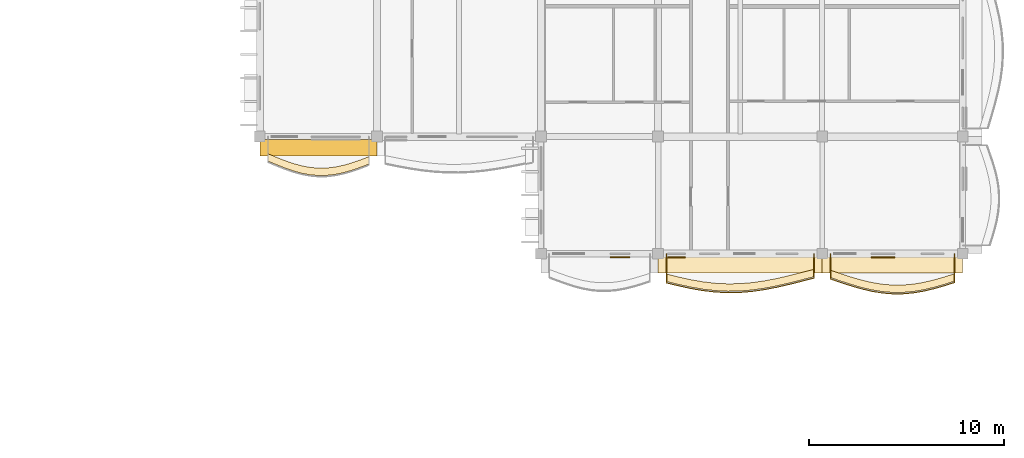
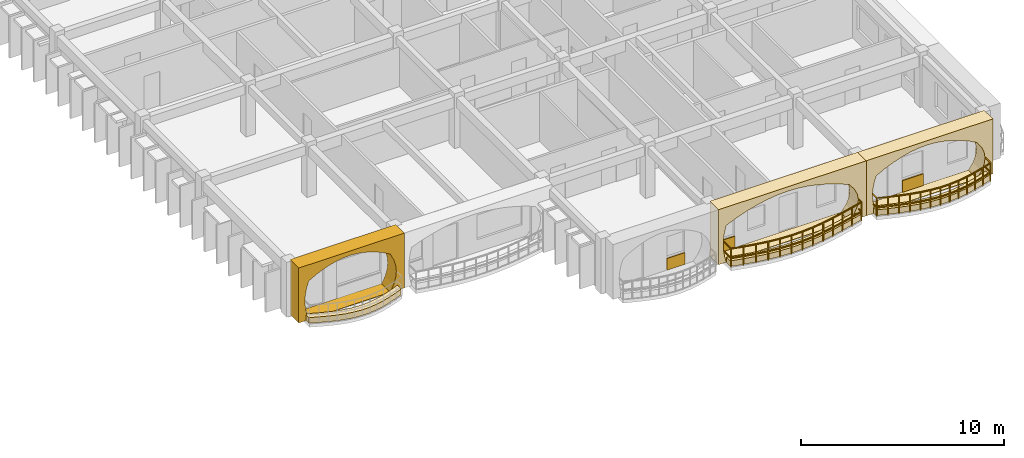
# One storey, part 60 of 70: 9 coverings, 2 railings.
"""IFC4 building model written with IfcOpenShell, lengths in metres."""

from ifc_helpers import new_model, si_unit, direction, frame, origin, origin_2d, place, context, subcontext, project, spatial, polyline, rectangle, outline, extrude, material, layer, layer_set, type_object, element, save


model = new_model("IFC4")

# Units and contexts
model_context = context("Model", 3, precision=1e-05, world=origin(), true_north=direction((0.0, 1.0)))
body_context = subcontext(model_context, "Body", "Model", "MODEL_VIEW")
ifc_project = project(units=[si_unit("LENGTHUNIT", "METRE"), si_unit("AREAUNIT", "SQUARE_METRE"), si_unit("VOLUMEUNIT", "CUBIC_METRE"), si_unit("PLANEANGLEUNIT", "RADIAN"), si_unit("MASSUNIT", "GRAM", prefix="KILO"), si_unit("THERMODYNAMICTEMPERATUREUNIT", "KELVIN")], contexts=[model_context])

# Site, building, storey
site_placement = place(None, origin())
site = spatial("IfcSite", under=ifc_project, at=site_placement, CompositionType="ELEMENT")
building_placement = place(site_placement, origin())
building = spatial("IfcBuilding", under=site, at=building_placement, Name="Thalorik Housing Commons", CompositionType="ELEMENT")
storey_placement = place(building_placement, frame((0.0, 0.0, 14.699951171875)))
storey = spatial("IfcBuildingStorey", under=building, at=storey_placement, Name="L04", CompositionType="ELEMENT", Elevation=14.699951171875)

# Coverings
ifc_material_1 = material(Name="Cobalt blue glazed ceramic facade tile panel", Category="masonry")
ifc_layer_1 = layer(ifc_material_1, 0.06005859375, Name="Cobalt blue glazed ceramic facade tile panel", Category="masonry")
ifc_layer_set_1 = layer_set([ifc_layer_1], Name="Cobalt blue glazed ceramic facade tile panel")
covering_type_1 = type_object("IfcCoveringType", Name="ARC-CLD-BLU-60", PredefinedType="CLADDING", material=ifc_layer_set_1)
covering_1_placement = place(storey_placement, frame((159.3349609375, 37.027587890625, 0.05029296875), z_axis=(0.0, 0.0, 1.0), x_axis=(1.0, 0.0, 0.0)))
element("IfcCovering", 1, at=covering_1_placement, inside=storey, type_object=covering_type_1, Name="L04 De Stijl Recessed Window Spandrel 4822", PredefinedType="CLADDING", context=body_context, shape_type="SweptSolid", body=[
    extrude(rectangle(XDim=0.89990234375, YDim=0.06005859375, at=origin_2d()), origin(), (0.0, 0.0, 1.0), 0.699951171875),
])
ifc_material_2 = material(Name="Precast concrete C40/50", Category="concrete")
ifc_layer_2 = layer(ifc_material_2, 0.85009765625, Name="Precast concrete C40/50", Category="concrete")
ifc_layer_set_2 = layer_set([ifc_layer_2], Name="Precast concrete C40/50")
covering_type_2 = type_object("IfcCoveringType", Name="ARC-CLD-CUSH-850", PredefinedType="CLADDING", material=ifc_layer_set_2)
covering_2_placement = place(storey_placement, frame((141.0, 42.637451171875, 0.0), z_axis=(0.0, 0.0, 1.0), x_axis=(1.0, 0.0, 0.0)))
element("IfcCovering", 2, at=covering_2_placement, inside=storey, type_object=covering_type_2, Name="L04 White Precast Curved Cushion Bay Frame 4808", PredefinedType="CLADDING", context=body_context, shape_type="SweptSolid", body=[
    extrude(outline(polyline([(-3.0, 0.0), (3.0, 0.0), (3.0, 3.300048828125), (-3.0, 3.300048828125), (-3.0, 0.0)]), holes=[polyline([(2.199951171875, 0.02490234375), (2.394287109375, 0.407470703125), (2.510986328125, 0.7900390625), (2.550048828125, 1.172607421875), (2.510986328125, 1.554931640625), (2.394287109375, 1.9375), (2.199951171875, 2.320068359375), (1.814208984375, 2.539306640625), (1.42822265625, 2.711181640625), (1.04248046875, 2.8505859375), (0.65673828125, 2.954345703125), (0.270751953125, 3.018310546875), (-0.114990234375, 3.0400390625), (-0.500732421875, 3.018310546875), (-0.88671875, 2.954345703125), (-1.2724609375, 2.8505859375), (-1.658203125, 2.711181640625), (-2.044189453125, 2.539306640625), (-2.429931640625, 2.320068359375), (-2.55029296875, 1.9375), (-2.62255859375, 1.554931640625), (-2.646484375, 1.172607421875), (-2.62255859375, 0.7900390625), (-2.55029296875, 0.407470703125), (-2.429931640625, 0.02490234375), (2.199951171875, 0.02490234375)])]), frame((0.0, 0.425048828125, 0.0), z_axis=(0.0, -1.0, 0.0), x_axis=(1.0, 0.0, 0.0)), (0.0, 0.0, 1.0), 0.85009765625),
])
covering_3_placement = place(storey_placement, frame((162.60009765625, 36.637451171875, 0.0), z_axis=(0.0, 0.0, 1.0), x_axis=(1.0, 0.0, 0.0)))
element("IfcCovering", 3, at=covering_3_placement, inside=storey, type_object=covering_type_2, Name="L04 White Precast Curved Cushion Bay Frame 4821", PredefinedType="CLADDING", context=body_context, shape_type="SweptSolid", body=[
    extrude(outline(polyline([(-4.199951171875, 0.0), (4.199951171875, 0.0), (4.199951171875, 3.300048828125), (-4.199951171875, 3.300048828125), (-4.199951171875, 0.0)]), holes=[polyline([(3.239990234375, 0.02490234375), (3.523193359375, 0.387451171875), (3.693359375, 0.75), (3.75, 1.112548828125), (3.693359375, 1.47509765625), (3.523193359375, 1.83740234375), (3.239990234375, 2.199951171875), (2.65625, 2.455810546875), (2.072509765625, 2.656494140625), (1.48876953125, 2.819091796875), (0.905029296875, 2.940185546875), (0.3212890625, 3.014892578125), (-0.262451171875, 3.0400390625), (-0.84619140625, 3.014892578125), (-1.429931640625, 2.940185546875), (-2.013671875, 2.819091796875), (-2.597412109375, 2.656494140625), (-3.181396484375, 2.455810546875), (-3.764892578125, 2.199951171875), (-3.856689453125, 1.83740234375), (-3.911865234375, 1.47509765625), (-3.930419921875, 1.112548828125), (-3.911865234375, 0.75), (-3.856689453125, 0.387451171875), (-3.764892578125, 0.02490234375), (3.239990234375, 0.02490234375)])]), frame((0.0, 0.425048828125, 0.0), z_axis=(0.0, -1.0, 0.0), x_axis=(1.0, 0.0, 0.0)), (0.0, 0.0, 1.0), 0.85009765625),
])
covering_4_placement = place(storey_placement, frame((170.39990234375, 36.637451171875, 0.0), z_axis=(0.0, 0.0, 1.0), x_axis=(1.0, 0.0, 0.0)))
element("IfcCovering", 4, at=covering_4_placement, inside=storey, type_object=covering_type_2, Name="L04 White Precast Curved Cushion Bay Frame 4823", PredefinedType="CLADDING", context=body_context, shape_type="SweptSolid", body=[
    extrude(outline(polyline([(-3.60009765625, 0.0), (3.60009765625, 0.0), (3.60009765625, 3.300048828125), (-3.60009765625, 3.300048828125), (-3.60009765625, 0.0)]), holes=[polyline([(2.68994140625, 0.02490234375), (2.945556640625, 0.387451171875), (3.098876953125, 0.75), (3.14990234375, 1.112548828125), (3.098876953125, 1.47509765625), (2.945556640625, 1.83740234375), (2.68994140625, 2.199951171875), (2.21337890625, 2.455810546875), (1.73681640625, 2.656494140625), (1.260009765625, 2.819091796875), (0.783203125, 2.940185546875), (0.306640625, 3.014892578125), (-0.169921875, 3.0400390625), (-0.646728515625, 3.014892578125), (-1.123291015625, 2.940185546875), (-1.60009765625, 2.819091796875), (-2.07666015625, 2.656494140625), (-2.55322265625, 2.455810546875), (-3.030029296875, 2.199951171875), (-3.150390625, 1.83740234375), (-3.222412109375, 1.47509765625), (-3.24658203125, 1.112548828125), (-3.222412109375, 0.75), (-3.150390625, 0.387451171875), (-3.030029296875, 0.02490234375), (2.68994140625, 0.02490234375)])]), frame((0.0, 0.425048828125, 0.0), z_axis=(0.0, -1.0, 0.0), x_axis=(1.0, 0.0, 0.0)), (0.0, 0.0, 1.0), 0.85009765625),
])
ifc_material_3 = material(Name="Terracotta red mineral fibre-cement panel", Category="masonry")
ifc_layer_3 = layer(ifc_material_3, 0.054931640625, Name="Terracotta red mineral fibre-cement panel", Category="masonry")
ifc_layer_set_3 = layer_set([ifc_layer_3], Name="Terracotta red mineral fibre-cement panel")
covering_type_3 = type_object("IfcCoveringType", Name="ARC-CLD-RED-55", PredefinedType="CLADDING", material=ifc_layer_set_3)
covering_5_placement = place(storey_placement, frame((156.43994140625, 37.030029296875, 0.05029296875), z_axis=(0.0, 0.0, 1.0), x_axis=(1.0, 0.0, 0.0)))
element("IfcCovering", 5, at=covering_5_placement, inside=storey, type_object=covering_type_3, Name="L04 De Stijl Recessed Window Spandrel 4820", PredefinedType="CLADDING", context=body_context, shape_type="SweptSolid", body=[
    extrude(rectangle(XDim=1.0, YDim=0.054931640625, at=origin_2d()), origin(), (0.0, 0.0, 1.0), 0.699951171875),
])
ifc_material_4 = material(Name="Mineral ochre architectural terracotta panel", Category="masonry")
ifc_layer_4 = layer(ifc_material_4, 0.06494140625, Name="Mineral ochre architectural terracotta panel", Category="masonry")
ifc_layer_set_4 = layer_set([ifc_layer_4], Name="Mineral ochre architectural terracotta panel")
covering_type_4 = type_object("IfcCoveringType", Name="ARC-CLD-YEL-65", PredefinedType="CLADDING", material=ifc_layer_set_4)
covering_6_placement = place(storey_placement, frame((169.9150390625, 37.02490234375, 0.05029296875), z_axis=(0.0, 0.0, 1.0), x_axis=(1.0, 0.0, 0.0)))
element("IfcCovering", 6, at=covering_6_placement, inside=storey, type_object=covering_type_4, Name="L04 De Stijl Recessed Window Spandrel 4824", PredefinedType="CLADDING", context=body_context, shape_type="SweptSolid", body=[
    extrude(rectangle(XDim=1.199951171875, YDim=0.06494140625, at=origin_2d()), origin(), (0.0, 0.0, 1.0), 0.699951171875),
])
ifc_material_5 = material(Name="Planted vegetated substrate and terracotta trough", Category="masonry")
ifc_layer_5 = layer(ifc_material_5, 0.340087890625, Name="Planted vegetated substrate and terracotta trough", Category="masonry")
ifc_layer_set_5 = layer_set([ifc_layer_5], Name="Planted vegetated substrate and terracotta trough")
covering_type_5 = type_object("IfcCoveringType", Name="ARC-COV-PLANTER", PredefinedType="USERDEFINED", material=ifc_layer_set_5)
covering_7_placement = place(storey_placement, origin())
element("IfcCovering", 7, at=covering_7_placement, inside=storey, type_object=covering_type_5, Name="L04 Balcony Slab-Edge Planted Trough 5671", ObjectType="PLANTER", PredefinedType="USERDEFINED", context=body_context, shape_type="SweptSolid", body=[
    extrude(outline(polyline([(158.820068359375, 35.782470703125), (159.449951171875, 35.6259765625), (160.080078125, 35.489013671875), (160.7099609375, 35.380859375), (161.340087890625, 35.308837890625), (161.969970703125, 35.277587890625), (162.60009765625, 35.2890625), (163.22998046875, 35.34228515625), (163.860107421875, 35.43310546875), (164.489990234375, 35.5556640625), (165.1201171875, 35.700927734375), (165.75, 35.859375), (166.3798828125, 36.01953125), (166.3798828125, 36.399658203125), (165.75, 36.2392578125), (165.1201171875, 36.0810546875), (164.489990234375, 35.935546875), (163.860107421875, 35.813232421875), (163.22998046875, 35.72216796875), (162.60009765625, 35.6689453125), (161.969970703125, 35.65771484375), (161.340087890625, 35.688720703125), (160.7099609375, 35.760986328125), (160.080078125, 35.868896484375), (159.449951171875, 36.005859375), (158.820068359375, 36.162353515625), (158.820068359375, 35.782470703125)])), origin(), (0.0, 0.0, 1.0), 0.340087890625),
])
covering_8_placement = place(storey_placement, origin())
element("IfcCovering", 8, at=covering_8_placement, inside=storey, type_object=covering_type_5, Name="L04 Balcony Slab-Edge Planted Trough 5672", ObjectType="PLANTER", PredefinedType="USERDEFINED", context=body_context, shape_type="SweptSolid", body=[
    extrude(outline(polyline([(167.219970703125, 35.980712890625), (167.75, 35.7998046875), (168.280029296875, 35.626708984375), (168.81005859375, 35.472900390625), (169.340087890625, 35.348388671875), (169.8701171875, 35.260986328125), (170.39990234375, 35.216552734375), (170.929931640625, 35.2177734375), (171.4599609375, 35.263916015625), (171.989990234375, 35.352294921875), (172.52001953125, 35.47607421875), (173.050048828125, 35.626953125), (173.580078125, 35.794921875), (173.580078125, 36.175048828125), (173.050048828125, 36.007080078125), (172.52001953125, 35.85595703125), (171.989990234375, 35.732177734375), (171.4599609375, 35.64404296875), (170.929931640625, 35.59765625), (170.39990234375, 35.5966796875), (169.8701171875, 35.64111328125), (169.340087890625, 35.728271484375), (168.81005859375, 35.852783203125), (168.280029296875, 36.0068359375), (167.75, 36.1796875), (167.219970703125, 36.360595703125), (167.219970703125, 35.980712890625)])), origin(), (0.0, 0.0, 1.0), 0.340087890625),
])
covering_9_placement = place(storey_placement, origin())
element("IfcCovering", 9, at=covering_9_placement, inside=storey, type_object=covering_type_5, Name="L04 Balcony Slab-Edge Planted Trough 5673", ObjectType="PLANTER", PredefinedType="USERDEFINED", context=body_context, shape_type="SweptSolid", body=[
    extrude(outline(polyline([(138.419921875, 41.940673828125), (138.85009765625, 41.7607421875), (139.280029296875, 41.5908203125), (139.7099609375, 41.44189453125), (140.139892578125, 41.323486328125), (140.570068359375, 41.242919921875), (141.0, 41.204833984375), (141.429931640625, 41.21142578125), (141.860107421875, 41.261962890625), (142.2900390625, 41.352294921875), (142.719970703125, 41.47607421875), (143.14990234375, 41.625), (143.580078125, 41.788818359375), (143.580078125, 42.168701171875), (143.14990234375, 42.0048828125), (142.719970703125, 41.856201171875), (142.2900390625, 41.732177734375), (141.860107421875, 41.641845703125), (141.429931640625, 41.591552734375), (141.0, 41.5849609375), (140.570068359375, 41.622802734375), (140.139892578125, 41.70361328125), (139.7099609375, 41.822021484375), (139.280029296875, 41.970703125), (138.85009765625, 42.140625), (138.419921875, 42.32080078125), (138.419921875, 41.940673828125)])), origin(), (0.0, 0.0, 1.0), 0.340087890625),
])

# Railings
ifc_material_6 = material(Name="Steel S355", Category="steel")
railing_type_1 = type_object("IfcRailingType", Name="ARC-RL-BAL-112", PredefinedType="BALUSTRADE", material=ifc_material_6)
railing_1_placement = place(storey_placement, frame((167.219970703125, 37.199951171875, 0.0)))
element("IfcRailing", 10, at=railing_1_placement, inside=storey, type_object=railing_type_1, Name="L04 Cushion Balcony Guardrail 356", PredefinedType="BALUSTRADE", context=body_context, shape_type="SweptSolid", body=[
    extrude(rectangle(XDim=0.050048828125, YDim=0.050048828125, at=origin_2d()), frame((0.0, 0.0, 1.09521484375), z_axis=(0.0, -1.0, 0.0), x_axis=(1.0, 0.0, 0.0)), (0.0, 0.0, 1.0), 1.289306640625),
    extrude(rectangle(XDim=0.050048828125, YDim=0.050048828125, at=origin_2d()), frame((0.0, 0.0, 0.53515625), z_axis=(0.0, -1.0, 0.0), x_axis=(1.0, 0.0, 0.0)), (0.0, 0.0, 1.0), 1.289306640625),
    extrude(rectangle(XDim=0.050048828125, YDim=0.050048828125, at=origin_2d()), frame((0.0, -1.289306640625, 1.09521484375), z_axis=(0.946392116625, -0.323020063758, 0.0), x_axis=(0.323020063758, 0.946392116625, 0.0)), (0.0, 0.0, 1.0), 0.56005859375),
    extrude(rectangle(XDim=0.050048828125, YDim=0.050048828125, at=origin_2d()), frame((0.0, -1.289306640625, 0.53515625), z_axis=(0.946392116625, -0.323020063758, 0.0), x_axis=(0.323020063758, 0.946392116625, 0.0)), (0.0, 0.0, 1.0), 0.56005859375),
    extrude(rectangle(XDim=0.050048828125, YDim=0.050048828125, at=origin_2d()), frame((0.530029296875, -1.47021484375, 1.09521484375), z_axis=(0.950721421216, -0.310046414657, 0.0), x_axis=(0.310046414657, 0.950721421216, 0.0)), (0.0, 0.0, 1.0), 0.5576171875),
    extrude(rectangle(XDim=0.050048828125, YDim=0.050048828125, at=origin_2d()), frame((0.530029296875, -1.47021484375, 0.53515625), z_axis=(0.950721421216, -0.310046414657, 0.0), x_axis=(0.310046414657, 0.950721421216, 0.0)), (0.0, 0.0, 1.0), 0.5576171875),
    extrude(rectangle(XDim=0.050048828125, YDim=0.050048828125, at=origin_2d()), frame((1.06005859375, -1.64306640625, 1.09521484375), z_axis=(0.960262135105, -0.279099680908, 0.0), x_axis=(0.279099680908, 0.960262135105, 0.0)), (0.0, 0.0, 1.0), 0.552001953125),
    extrude(rectangle(XDim=0.050048828125, YDim=0.050048828125, at=origin_2d()), frame((1.06005859375, -1.64306640625, 0.53515625), z_axis=(0.960262135105, -0.279099680908, 0.0), x_axis=(0.279099680908, 0.960262135105, 0.0)), (0.0, 0.0, 1.0), 0.552001953125),
    extrude(rectangle(XDim=0.050048828125, YDim=0.050048828125, at=origin_2d()), frame((1.590087890625, -1.797119140625, 1.09521484375), z_axis=(0.973499436573, -0.228689411632, 0.0), x_axis=(0.228689411632, 0.973499436573, 0.0)), (0.0, 0.0, 1.0), 0.54443359375),
    extrude(rectangle(XDim=0.050048828125, YDim=0.050048828125, at=origin_2d()), frame((1.590087890625, -1.797119140625, 0.53515625), z_axis=(0.973499436573, -0.228689411632, 0.0), x_axis=(0.228689411632, 0.973499436573, 0.0)), (0.0, 0.0, 1.0), 0.54443359375),
    extrude(rectangle(XDim=0.050048828125, YDim=0.050048828125, at=origin_2d()), frame((2.1201171875, -1.921630859375, 1.09521484375), z_axis=(0.986674981637, -0.162703658879, 0.0), x_axis=(0.162703658879, 0.986674981637, 0.0)), (0.0, 0.0, 1.0), 0.537109375),
    extrude(rectangle(XDim=0.050048828125, YDim=0.050048828125, at=origin_2d()), frame((2.1201171875, -1.921630859375, 0.53515625), z_axis=(0.986674981637, -0.162703658879, 0.0), x_axis=(0.162703658879, 0.986674981637, 0.0)), (0.0, 0.0, 1.0), 0.537109375),
    extrude(rectangle(XDim=0.050048828125, YDim=0.050048828125, at=origin_2d()), frame((2.650146484375, -2.009033203125, 1.09521484375), z_axis=(0.996501278001, -0.083577526542, 0.0), x_axis=(0.083577526542, 0.996501278001, 0.0)), (0.0, 0.0, 1.0), 0.53173828125),
    extrude(rectangle(XDim=0.050048828125, YDim=0.050048828125, at=origin_2d()), frame((2.650146484375, -2.009033203125, 0.53515625), z_axis=(0.996501278001, -0.083577526542, 0.0), x_axis=(0.083577526542, 0.996501278001, 0.0)), (0.0, 0.0, 1.0), 0.53173828125),
    extrude(rectangle(XDim=0.050048828125, YDim=0.050048828125, at=origin_2d()), frame((3.179931640625, -2.053466796875, 1.09521484375), z_axis=(0.999997347908, 0.002303080027, 0.0), x_axis=(-0.002303080027, 0.999997347908, 0.0)), (0.0, 0.0, 1.0), 0.530029296875),
    extrude(rectangle(XDim=0.050048828125, YDim=0.050048828125, at=origin_2d()), frame((3.179931640625, -2.053466796875, 0.53515625), z_axis=(0.999997347908, 0.002303080027, 0.0), x_axis=(-0.002303080027, 0.999997347908, 0.0)), (0.0, 0.0, 1.0), 0.530029296875),
    extrude(rectangle(XDim=0.050048828125, YDim=0.050048828125, at=origin_2d()), frame((3.7099609375, -2.05224609375, 1.09521484375), z_axis=(0.996192223145, 0.087184026899, 0.0), x_axis=(-0.087184026899, 0.996192223145, 0.0)), (0.0, 0.0, 1.0), 0.531982421875),
    extrude(rectangle(XDim=0.050048828125, YDim=0.050048828125, at=origin_2d()), frame((3.7099609375, -2.05224609375, 0.53515625), z_axis=(0.996192223145, 0.087184026899, 0.0), x_axis=(-0.087184026899, 0.996192223145, 0.0)), (0.0, 0.0, 1.0), 0.531982421875),
    extrude(rectangle(XDim=0.050048828125, YDim=0.050048828125, at=origin_2d()), frame((4.239990234375, -2.005859375, 1.09521484375), z_axis=(0.986455257502, 0.164030561013, 0.0), x_axis=(-0.164030561013, 0.986455257502, 0.0)), (0.0, 0.0, 1.0), 0.537353515625),
    extrude(rectangle(XDim=0.050048828125, YDim=0.050048828125, at=origin_2d()), frame((4.239990234375, -2.005859375, 0.53515625), z_axis=(0.986455257502, 0.164030561013, 0.0), x_axis=(-0.164030561013, 0.986455257502, 0.0)), (0.0, 0.0, 1.0), 0.537353515625),
    extrude(rectangle(XDim=0.050048828125, YDim=0.050048828125, at=origin_2d()), frame((4.77001953125, -1.917724609375, 1.09521484375), z_axis=(0.973798180823, 0.22741394642, 0.0), x_axis=(-0.22741394642, 0.973798180823, 0.0)), (0.0, 0.0, 1.0), 0.544189453125),
    extrude(rectangle(XDim=0.050048828125, YDim=0.050048828125, at=origin_2d()), frame((4.77001953125, -1.917724609375, 0.53515625), z_axis=(0.973798180823, 0.22741394642, 0.0), x_axis=(-0.22741394642, 0.973798180823, 0.0)), (0.0, 0.0, 1.0), 0.544189453125),
    extrude(rectangle(XDim=0.050048828125, YDim=0.050048828125, at=origin_2d()), frame((5.300048828125, -1.7939453125, 1.09521484375), z_axis=(0.96179097414, 0.273784809774, 0.0), x_axis=(-0.273784809774, 0.96179097414, 0.0)), (0.0, 0.0, 1.0), 0.551025390625),
    extrude(rectangle(XDim=0.050048828125, YDim=0.050048828125, at=origin_2d()), frame((5.300048828125, -1.7939453125, 0.53515625), z_axis=(0.96179097414, 0.273784809774, 0.0), x_axis=(-0.273784809774, 0.96179097414, 0.0)), (0.0, 0.0, 1.0), 0.551025390625),
    extrude(rectangle(XDim=0.050048828125, YDim=0.050048828125, at=origin_2d()), frame((5.830078125, -1.64306640625, 1.09521484375), z_axis=(0.953150390794, 0.302496830611, 0.0), x_axis=(-0.302496830611, 0.953150390794, 0.0)), (0.0, 0.0, 1.0), 0.55615234375),
    extrude(rectangle(XDim=0.050048828125, YDim=0.050048828125, at=origin_2d()), frame((5.830078125, -1.64306640625, 0.53515625), z_axis=(0.953150390794, 0.302496830611, 0.0), x_axis=(-0.302496830611, 0.953150390794, 0.0)), (0.0, 0.0, 1.0), 0.55615234375),
    extrude(rectangle(XDim=0.050048828125, YDim=0.050048828125, at=origin_2d()), frame((6.360107421875, -1.474853515625, 1.09521484375), z_axis=(0.0, 1.0, 0.0), x_axis=(-1.0, 0.0, 0.0)), (0.0, 0.0, 1.0), 1.474853515625),
    extrude(rectangle(XDim=0.050048828125, YDim=0.050048828125, at=origin_2d()), frame((6.360107421875, -1.474853515625, 0.53515625), z_axis=(0.0, 1.0, 0.0), x_axis=(-1.0, 0.0, 0.0)), (0.0, 0.0, 1.0), 1.474853515625),
    extrude(rectangle(XDim=0.0419921875, YDim=0.0419921875, at=origin_2d()), origin(), (0.0, 0.0, 1.0), 1.070068359375),
    extrude(rectangle(XDim=0.0419921875, YDim=0.0419921875, at=origin_2d()), frame((0.0, -1.289306640625, 0.0)), (0.0, 0.0, 1.0), 1.070068359375),
    extrude(rectangle(XDim=0.0419921875, YDim=0.0419921875, at=origin_2d()), frame((0.530029296875, -1.47021484375, 0.0)), (0.0, 0.0, 1.0), 1.070068359375),
    extrude(rectangle(XDim=0.0419921875, YDim=0.0419921875, at=origin_2d()), frame((1.06005859375, -1.64306640625, 0.0)), (0.0, 0.0, 1.0), 1.070068359375),
    extrude(rectangle(XDim=0.0419921875, YDim=0.0419921875, at=origin_2d()), frame((1.590087890625, -1.797119140625, 0.0)), (0.0, 0.0, 1.0), 1.070068359375),
    extrude(rectangle(XDim=0.0419921875, YDim=0.0419921875, at=origin_2d()), frame((2.1201171875, -1.921630859375, 0.0)), (0.0, 0.0, 1.0), 1.070068359375),
    extrude(rectangle(XDim=0.0419921875, YDim=0.0419921875, at=origin_2d()), frame((2.650146484375, -2.009033203125, 0.0)), (0.0, 0.0, 1.0), 1.070068359375),
    extrude(rectangle(XDim=0.0419921875, YDim=0.0419921875, at=origin_2d()), frame((3.179931640625, -2.053466796875, 0.0)), (0.0, 0.0, 1.0), 1.070068359375),
    extrude(rectangle(XDim=0.0419921875, YDim=0.0419921875, at=origin_2d()), frame((3.7099609375, -2.05224609375, 0.0)), (0.0, 0.0, 1.0), 1.070068359375),
    extrude(rectangle(XDim=0.0419921875, YDim=0.0419921875, at=origin_2d()), frame((4.239990234375, -2.005859375, 0.0)), (0.0, 0.0, 1.0), 1.070068359375),
    extrude(rectangle(XDim=0.0419921875, YDim=0.0419921875, at=origin_2d()), frame((4.77001953125, -1.917724609375, 0.0)), (0.0, 0.0, 1.0), 1.070068359375),
    extrude(rectangle(XDim=0.0419921875, YDim=0.0419921875, at=origin_2d()), frame((5.300048828125, -1.7939453125, 0.0)), (0.0, 0.0, 1.0), 1.070068359375),
    extrude(rectangle(XDim=0.0419921875, YDim=0.0419921875, at=origin_2d()), frame((5.830078125, -1.64306640625, 0.0)), (0.0, 0.0, 1.0), 1.070068359375),
    extrude(rectangle(XDim=0.0419921875, YDim=0.0419921875, at=origin_2d()), frame((6.360107421875, -1.474853515625, 0.0)), (0.0, 0.0, 1.0), 1.070068359375),
    extrude(rectangle(XDim=0.0419921875, YDim=0.0419921875, at=origin_2d()), frame((6.360107421875, 0.0, 0.0)), (0.0, 0.0, 1.0), 1.070068359375),
])
railing_type_2 = type_object("IfcRailingType", Name="ARC-RL-BAL-115", PredefinedType="BALUSTRADE", material=ifc_material_6)
railing_2_placement = place(storey_placement, frame((158.820068359375, 37.199951171875, 0.0)))
element("IfcRailing", 11, at=railing_2_placement, inside=storey, type_object=railing_type_2, Name="L04 Cushion Balcony Guardrail 355", PredefinedType="BALUSTRADE", context=body_context, shape_type="SweptSolid", body=[
    extrude(rectangle(XDim=0.050048828125, YDim=0.050048828125, at=origin_2d()), frame((0.0, 0.0, 1.125), z_axis=(0.0, -1.0, 0.0), x_axis=(1.0, 0.0, 0.0)), (0.0, 0.0, 1.0), 1.487548828125),
    extrude(rectangle(XDim=0.050048828125, YDim=0.050048828125, at=origin_2d()), frame((0.0, 0.0, 0.5498046875), z_axis=(0.0, -1.0, 0.0), x_axis=(1.0, 0.0, 0.0)), (0.0, 0.0, 1.0), 1.487548828125),
    extrude(rectangle(XDim=0.050048828125, YDim=0.050048828125, at=origin_2d()), frame((0.0, -1.487548828125, 1.125), z_axis=(0.970495500491, -0.241119230936, 0.0), x_axis=(0.241119230936, 0.970495500491, 0.0)), (0.0, 0.0, 1.0), 0.64892578125),
    extrude(rectangle(XDim=0.050048828125, YDim=0.050048828125, at=origin_2d()), frame((0.0, -1.487548828125, 0.5498046875), z_axis=(0.970495500491, -0.241119230936, 0.0), x_axis=(0.241119230936, 0.970495500491, 0.0)), (0.0, 0.0, 1.0), 0.64892578125),
    extrude(rectangle(XDim=0.050048828125, YDim=0.050048828125, at=origin_2d()), frame((0.6298828125, -1.64404296875, 1.125), z_axis=(0.977183197468, -0.212398207586, 0.0), x_axis=(0.212398207586, 0.977183197468, 0.0)), (0.0, 0.0, 1.0), 0.644775390625),
    extrude(rectangle(XDim=0.050048828125, YDim=0.050048828125, at=origin_2d()), frame((0.6298828125, -1.64404296875, 0.5498046875), z_axis=(0.977183197468, -0.212398207586, 0.0), x_axis=(0.212398207586, 0.977183197468, 0.0)), (0.0, 0.0, 1.0), 0.644775390625),
    extrude(rectangle(XDim=0.050048828125, YDim=0.050048828125, at=origin_2d()), frame((1.260009765625, -1.781005859375, 1.125), z_axis=(0.985576778269, -0.16922888092, 0.0), x_axis=(0.16922888092, 0.985576778269, 0.0)), (0.0, 0.0, 1.0), 0.63916015625),
    extrude(rectangle(XDim=0.050048828125, YDim=0.050048828125, at=origin_2d()), frame((1.260009765625, -1.781005859375, 0.5498046875), z_axis=(0.985576778269, -0.16922888092, 0.0), x_axis=(0.16922888092, 0.985576778269, 0.0)), (0.0, 0.0, 1.0), 0.63916015625),
    extrude(rectangle(XDim=0.050048828125, YDim=0.050048828125, at=origin_2d()), frame((1.889892578125, -1.88916015625, 1.125), z_axis=(0.993531431854, -0.113557447655, 0.0), x_axis=(0.113557447655, 0.993531431854, 0.0)), (0.0, 0.0, 1.0), 0.63427734375),
    extrude(rectangle(XDim=0.050048828125, YDim=0.050048828125, at=origin_2d()), frame((1.889892578125, -1.88916015625, 0.5498046875), z_axis=(0.993531431854, -0.113557447655, 0.0), x_axis=(0.113557447655, 0.993531431854, 0.0)), (0.0, 0.0, 1.0), 0.63427734375),
    extrude(rectangle(XDim=0.050048828125, YDim=0.050048828125, at=origin_2d()), frame((2.52001953125, -1.961181640625, 1.125), z_axis=(0.998771571996, -0.049551457835, 0.0), x_axis=(0.049551457835, 0.998771571996, 0.0)), (0.0, 0.0, 1.0), 0.630615234375),
    extrude(rectangle(XDim=0.050048828125, YDim=0.050048828125, at=origin_2d()), frame((2.52001953125, -1.961181640625, 0.5498046875), z_axis=(0.998771571996, -0.049551457835, 0.0), x_axis=(0.049551457835, 0.998771571996, 0.0)), (0.0, 0.0, 1.0), 0.630615234375),
    extrude(rectangle(XDim=0.050048828125, YDim=0.050048828125, at=origin_2d()), frame((3.14990234375, -1.992431640625, 1.125), z_axis=(0.999834239245, 0.018206977623, 0.0), x_axis=(-0.018206977623, 0.999834239245, 0.0)), (0.0, 0.0, 1.0), 0.630126953125),
    extrude(rectangle(XDim=0.050048828125, YDim=0.050048828125, at=origin_2d()), frame((3.14990234375, -1.992431640625, 0.5498046875), z_axis=(0.999834239245, 0.018206977623, 0.0), x_axis=(-0.018206977623, 0.999834239245, 0.0)), (0.0, 0.0, 1.0), 0.630126953125),
    extrude(rectangle(XDim=0.050048828125, YDim=0.050048828125, at=origin_2d()), frame((3.780029296875, -1.98095703125, 1.125), z_axis=(0.99644920467, 0.084196095588, 0.0), x_axis=(-0.084196095588, 0.99644920467, 0.0)), (0.0, 0.0, 1.0), 0.632080078125),
    extrude(rectangle(XDim=0.050048828125, YDim=0.050048828125, at=origin_2d()), frame((3.780029296875, -1.98095703125, 0.5498046875), z_axis=(0.99644920467, 0.084196095588, 0.0), x_axis=(-0.084196095588, 0.99644920467, 0.0)), (0.0, 0.0, 1.0), 0.632080078125),
    extrude(rectangle(XDim=0.050048828125, YDim=0.050048828125, at=origin_2d()), frame((4.409912109375, -1.927734375, 1.125), z_axis=(0.989718105742, 0.143031713848, 0.0), x_axis=(-0.143031713848, 0.989718105742, 0.0)), (0.0, 0.0, 1.0), 0.63671875),
    extrude(rectangle(XDim=0.050048828125, YDim=0.050048828125, at=origin_2d()), frame((4.409912109375, -1.927734375, 0.5498046875), z_axis=(0.989718105742, 0.143031713848, 0.0), x_axis=(-0.143031713848, 0.989718105742, 0.0)), (0.0, 0.0, 1.0), 0.63671875),
    extrude(rectangle(XDim=0.050048828125, YDim=0.050048828125, at=origin_2d()), frame((5.0400390625, -1.836669921875, 1.125), z_axis=(0.981662885064, 0.190625234658, 0.0), x_axis=(-0.190625234658, 0.981662885064, 0.0)), (0.0, 0.0, 1.0), 0.6416015625),
    extrude(rectangle(XDim=0.050048828125, YDim=0.050048828125, at=origin_2d()), frame((5.0400390625, -1.836669921875, 0.5498046875), z_axis=(0.981662885064, 0.190625234658, 0.0), x_axis=(-0.190625234658, 0.981662885064, 0.0)), (0.0, 0.0, 1.0), 0.6416015625),
    extrude(rectangle(XDim=0.050048828125, YDim=0.050048828125, at=origin_2d()), frame((5.669921875, -1.71435546875, 1.125), z_axis=(0.974359373104, 0.224997360081, 0.0), x_axis=(-0.224997360081, 0.974359373104, 0.0)), (0.0, 0.0, 1.0), 0.646728515625),
    extrude(rectangle(XDim=0.050048828125, YDim=0.050048828125, at=origin_2d()), frame((5.669921875, -1.71435546875, 0.5498046875), z_axis=(0.974359373104, 0.224997360081, 0.0), x_axis=(-0.224997360081, 0.974359373104, 0.0)), (0.0, 0.0, 1.0), 0.646728515625),
    extrude(rectangle(XDim=0.050048828125, YDim=0.050048828125, at=origin_2d()), frame((6.300048828125, -1.56884765625, 1.125), z_axis=(0.969876563393, 0.243596904294, 0.0), x_axis=(-0.243596904294, 0.969876563393, 0.0)), (0.0, 0.0, 1.0), 0.6494140625),
    extrude(rectangle(XDim=0.050048828125, YDim=0.050048828125, at=origin_2d()), frame((6.300048828125, -1.56884765625, 0.5498046875), z_axis=(0.969876563393, 0.243596904294, 0.0), x_axis=(-0.243596904294, 0.969876563393, 0.0)), (0.0, 0.0, 1.0), 0.6494140625),
    extrude(rectangle(XDim=0.050048828125, YDim=0.050048828125, at=origin_2d()), frame((6.929931640625, -1.41064453125, 1.125), z_axis=(0.969072680477, 0.246775484912, 0.0), x_axis=(-0.246775484912, 0.969072680477, 0.0)), (0.0, 0.0, 1.0), 0.64990234375),
    extrude(rectangle(XDim=0.050048828125, YDim=0.050048828125, at=origin_2d()), frame((6.929931640625, -1.41064453125, 0.5498046875), z_axis=(0.969072680477, 0.246775484912, 0.0), x_axis=(-0.246775484912, 0.969072680477, 0.0)), (0.0, 0.0, 1.0), 0.64990234375),
    extrude(rectangle(XDim=0.050048828125, YDim=0.050048828125, at=origin_2d()), frame((7.559814453125, -1.250244140625, 1.125), z_axis=(0.0, 1.0, 0.0), x_axis=(-1.0, 0.0, 0.0)), (0.0, 0.0, 1.0), 1.250244140625),
    extrude(rectangle(XDim=0.050048828125, YDim=0.050048828125, at=origin_2d()), frame((7.559814453125, -1.250244140625, 0.5498046875), z_axis=(0.0, 1.0, 0.0), x_axis=(-1.0, 0.0, 0.0)), (0.0, 0.0, 1.0), 1.250244140625),
    extrude(rectangle(XDim=0.0419921875, YDim=0.0419921875, at=origin_2d()), origin(), (0.0, 0.0, 1.0), 1.099853515625),
    extrude(rectangle(XDim=0.0419921875, YDim=0.0419921875, at=origin_2d()), frame((0.0, -1.487548828125, 0.0)), (0.0, 0.0, 1.0), 1.099853515625),
    extrude(rectangle(XDim=0.0419921875, YDim=0.0419921875, at=origin_2d()), frame((0.6298828125, -1.64404296875, 0.0)), (0.0, 0.0, 1.0), 1.099853515625),
    extrude(rectangle(XDim=0.0419921875, YDim=0.0419921875, at=origin_2d()), frame((1.260009765625, -1.781005859375, 0.0)), (0.0, 0.0, 1.0), 1.099853515625),
    extrude(rectangle(XDim=0.0419921875, YDim=0.0419921875, at=origin_2d()), frame((1.889892578125, -1.88916015625, 0.0)), (0.0, 0.0, 1.0), 1.099853515625),
    extrude(rectangle(XDim=0.0419921875, YDim=0.0419921875, at=origin_2d()), frame((2.52001953125, -1.961181640625, 0.0)), (0.0, 0.0, 1.0), 1.099853515625),
    extrude(rectangle(XDim=0.0419921875, YDim=0.0419921875, at=origin_2d()), frame((3.14990234375, -1.992431640625, 0.0)), (0.0, 0.0, 1.0), 1.099853515625),
    extrude(rectangle(XDim=0.0419921875, YDim=0.0419921875, at=origin_2d()), frame((3.780029296875, -1.98095703125, 0.0)), (0.0, 0.0, 1.0), 1.099853515625),
    extrude(rectangle(XDim=0.0419921875, YDim=0.0419921875, at=origin_2d()), frame((4.409912109375, -1.927734375, 0.0)), (0.0, 0.0, 1.0), 1.099853515625),
    extrude(rectangle(XDim=0.0419921875, YDim=0.0419921875, at=origin_2d()), frame((5.0400390625, -1.836669921875, 0.0)), (0.0, 0.0, 1.0), 1.099853515625),
    extrude(rectangle(XDim=0.0419921875, YDim=0.0419921875, at=origin_2d()), frame((5.669921875, -1.71435546875, 0.0)), (0.0, 0.0, 1.0), 1.099853515625),
    extrude(rectangle(XDim=0.0419921875, YDim=0.0419921875, at=origin_2d()), frame((6.300048828125, -1.56884765625, 0.0)), (0.0, 0.0, 1.0), 1.099853515625),
    extrude(rectangle(XDim=0.0419921875, YDim=0.0419921875, at=origin_2d()), frame((6.929931640625, -1.41064453125, 0.0)), (0.0, 0.0, 1.0), 1.099853515625),
    extrude(rectangle(XDim=0.0419921875, YDim=0.0419921875, at=origin_2d()), frame((7.559814453125, -1.250244140625, 0.0)), (0.0, 0.0, 1.0), 1.099853515625),
    extrude(rectangle(XDim=0.0419921875, YDim=0.0419921875, at=origin_2d()), frame((7.559814453125, 0.0, 0.0)), (0.0, 0.0, 1.0), 1.099853515625),
])

save(model, "model.ifc")
